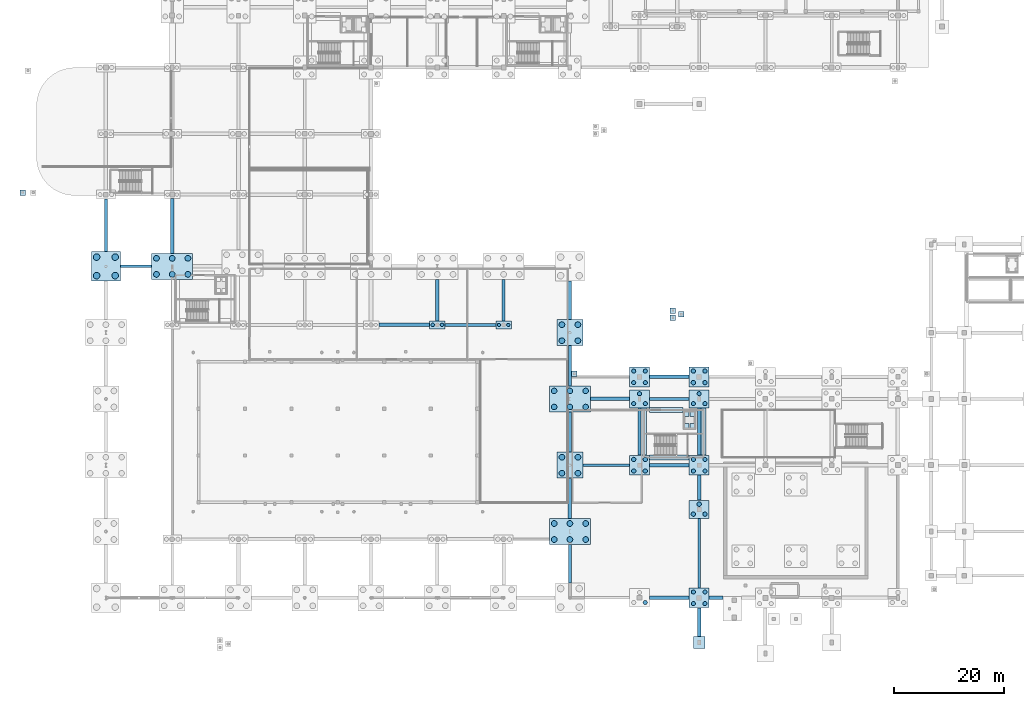
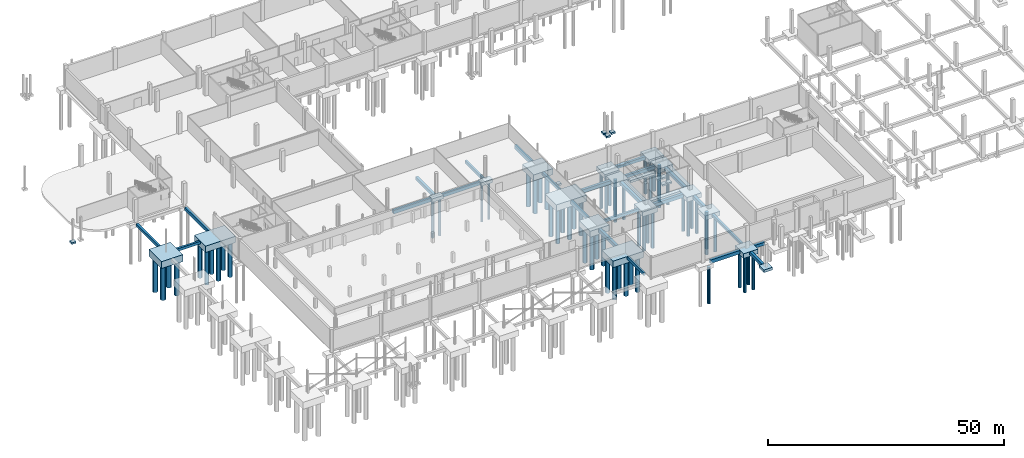
# One storey, part 2 of 42: 64 piles, 54 footings.
"""IFC4 building model written with IfcOpenShell, lengths in metres."""

from ifc_helpers import new_model, si_unit, direction, frame, origin, origin_2d, place, context, subcontext, project, spatial, rectangle, circle, extrude, material, material_profile, profile_set, type_object, element, save


model = new_model("IFC4")

# Units and contexts
model_context = context("Model", 3, precision=1e-05, world=origin(), true_north=direction((0.0, 1.0)))
body_context = subcontext(model_context, "Body", "Model", "MODEL_VIEW")
ifc_project = project(units=[si_unit("LENGTHUNIT", "METRE"), si_unit("AREAUNIT", "SQUARE_METRE"), si_unit("VOLUMEUNIT", "CUBIC_METRE"), si_unit("PLANEANGLEUNIT", "RADIAN"), si_unit("MASSUNIT", "GRAM", prefix="KILO"), si_unit("THERMODYNAMICTEMPERATUREUNIT", "KELVIN"), si_unit("POWERUNIT", "WATT")], contexts=[model_context])

# Site, building, storey
site_placement = place(None, origin())
site = spatial("IfcSite", under=ifc_project, at=site_placement, CompositionType="ELEMENT")
building_placement = place(site_placement, origin())
building = spatial("IfcBuilding", under=site, at=building_placement, Name="Solmara Park Aquatics Centre", CompositionType="ELEMENT")
storey_placement = place(building_placement, frame((0.0, 0.0, -5.39990234375)))
storey = spatial("IfcBuildingStorey", under=building, at=storey_placement, Name="B1", CompositionType="ELEMENT", Elevation=-5.39990234375)

# Footings
ifc_material = material(Name="Watertight Concrete C45/55", Category="concrete")
footing_type_1 = type_object("IfcFootingType", Name="STR-FB-500x700", PredefinedType="FOOTING_BEAM", material=ifc_material)
footing_1_placement = place(storey_placement, frame((103.175048828125, 36.60009765625, -1.25), z_axis=(0.0, 0.0, 1.0), x_axis=(1.0, 0.0, 0.0)))
element("IfcFooting", 1, at=footing_1_placement, inside=storey, type_object=footing_type_1, Name="Ground Tie Beam FB-027", PredefinedType="FOOTING_BEAM", context=body_context, shape_type="SweptSolid", body=[
    extrude(rectangle(XDim=8.429931640625, YDim=0.5, at=origin_2d()), origin(), (0.0, 0.0, 1.0), 0.699951171875),
])
footing_2_placement = place(storey_placement, frame((18.074951171875, 72.60009765625, -1.25), z_axis=(0.0, 0.0, 1.0), x_axis=(1.0, 0.0, 0.0)))
element("IfcFooting", 2, at=footing_2_placement, inside=storey, type_object=footing_type_1, Name="Ground Tie Beam FB-059", PredefinedType="FOOTING_BEAM", context=body_context, shape_type="SweptSolid", body=[
    extrude(rectangle(XDim=5.6298828125, YDim=0.5, at=origin_2d()), origin(), (0.0, 0.0, 1.0), 0.699951171875),
])
footing_3_placement = place(storey_placement, frame((12.60009765625, 80.02490234375, -1.25), z_axis=(0.0, 0.0, 1.0), x_axis=(1.0, 0.0, 0.0)))
element("IfcFooting", 3, at=footing_3_placement, inside=storey, type_object=footing_type_1, Name="Ground Tie Beam FB-117", PredefinedType="FOOTING_BEAM", context=body_context, shape_type="SweptSolid", body=[
    extrude(rectangle(XDim=0.5, YDim=9.530029296875, at=origin_2d()), origin(), (0.0, 0.0, 1.0), 0.699951171875),
])
footing_4_placement = place(storey_placement, frame((84.60009765625, 66.47509765625, -1.25), z_axis=(0.0, 0.0, 1.0), x_axis=(1.0, 0.0, 0.0)))
element("IfcFooting", 4, at=footing_4_placement, inside=storey, type_object=footing_type_1, Name="Ground Tie Beam FB-148", PredefinedType="FOOTING_BEAM", context=body_context, shape_type="SweptSolid", body=[
    extrude(rectangle(XDim=0.5, YDim=7.530029296875, at=origin_2d()), origin(), (0.0, 0.0, 1.0), 0.699951171875),
])
footing_5_placement = place(storey_placement, frame((96.60009765625, 18.75, -1.25), z_axis=(0.0, 0.0, 1.0), x_axis=(1.0, 0.0, 0.0)))
element("IfcFooting", 5, at=footing_5_placement, inside=storey, type_object=footing_type_1, Name="Ground Tie Beam FB-150", PredefinedType="FOOTING_BEAM", context=body_context, shape_type="SweptSolid", body=[
    extrude(rectangle(XDim=0.5, YDim=6.97998046875, at=origin_2d()), origin(), (0.0, 0.0, 1.0), 0.699951171875),
])
footing_6_placement = place(storey_placement, frame((96.60009765625, 54.60009765625, -1.25), z_axis=(0.0, 0.0, 1.0), x_axis=(1.0, 0.0, 0.0)))
element("IfcFooting", 6, at=footing_6_placement, inside=storey, type_object=footing_type_1, Name="Ground Tie Beam FB-153", PredefinedType="FOOTING_BEAM", context=body_context, shape_type="SweptSolid", body=[
    extrude(rectangle(XDim=0.5, YDim=7.280029296875, at=origin_2d()), origin(), (0.0, 0.0, 1.0), 0.699951171875),
])
footing_7_placement = place(storey_placement, frame((120.0, 20.675048828125, -1.25), z_axis=(0.0, 0.0, 1.0), x_axis=(1.0, 0.0, 0.0)))
element("IfcFooting", 7, at=footing_7_placement, inside=storey, type_object=footing_type_1, Name="Ground Tie Beam FB-164", PredefinedType="FOOTING_BEAM", context=body_context, shape_type="SweptSolid", body=[
    extrude(rectangle(XDim=0.5, YDim=12.530029296875, at=origin_2d()), origin(), (0.0, 0.0, 1.0), 0.699951171875),
])
footing_type_2 = type_object("IfcFootingType", Name="STR-FB-600x800", PredefinedType="FOOTING_BEAM", material=ifc_material)
footing_8_placement = place(storey_placement, frame((123.050048828125, 12.60009765625, -1.35009765625), z_axis=(0.0, 0.0, 1.0), x_axis=(1.0, 0.0, 0.0)))
element("IfcFooting", 8, at=footing_8_placement, inside=storey, type_object=footing_type_2, Name="Ground Tie Beam FB-010", PredefinedType="FOOTING_BEAM", context=body_context, shape_type="SweptSolid", body=[
    extrude(rectangle(XDim=2.47998046875, YDim=0.60009765625, at=origin_2d()), origin(), (0.0, 0.0, 1.0), 0.800048828125),
])
for number, where, z_axis, x_axis, name in (
    (9, (114.60009765625, 48.60009765625, -1.35009765625), (0.0, 0.0, 1.0), (1.0, 0.0, 0.0), "Ground Tie Beam FB-038"),
    (10, (114.60009765625, 52.60009765625, -1.35009765625), (0.0, 0.0, 1.0), (1.0, 0.0, 0.0), "Ground Tie Beam FB-047"),
):
    element("IfcFooting", number, at=place(storey_placement, frame(where, z_axis=z_axis, x_axis=x_axis)), inside=storey, type_object=footing_type_2, Name=name, PredefinedType="FOOTING_BEAM", context=body_context, shape_type="SweptSolid", body=[
        extrude(rectangle(XDim=7.179931640625, YDim=0.60009765625, at=origin_2d()), origin(), (0.0, 0.0, 1.0), 0.800048828125),
    ])
footing_9_placement = place(storey_placement, frame((78.60009765625, 62.0, -1.35009765625), z_axis=(0.0, 0.0, 1.0), x_axis=(1.0, 0.0, 0.0)))
element("IfcFooting", 11, at=footing_9_placement, inside=storey, type_object=footing_type_2, Name="Ground Tie Beam FB-058", PredefinedType="FOOTING_BEAM", context=body_context, shape_type="SweptSolid", body=[
    extrude(rectangle(XDim=9.179931640625, YDim=0.60009765625, at=origin_2d()), origin(), (0.0, 0.0, 1.0), 0.800048828125),
])
footing_10_placement = place(storey_placement, frame((24.60009765625, 79.925048828125, -1.35009765625), z_axis=(0.0, 0.0, 1.0), x_axis=(1.0, 0.0, 0.0)))
element("IfcFooting", 12, at=footing_10_placement, inside=storey, type_object=footing_type_2, Name="Ground Tie Beam FB-121", PredefinedType="FOOTING_BEAM", context=body_context, shape_type="SweptSolid", body=[
    extrude(rectangle(XDim=0.60009765625, YDim=9.929931640625, at=origin_2d()), origin(), (0.0, 0.0, 1.0), 0.800048828125),
])
footing_11_placement = place(storey_placement, frame((72.60009765625, 66.47509765625, -1.35009765625), z_axis=(0.0, 0.0, 1.0), x_axis=(1.0, 0.0, 0.0)))
element("IfcFooting", 13, at=footing_11_placement, inside=storey, type_object=footing_type_2, Name="Ground Tie Beam FB-144", PredefinedType="FOOTING_BEAM", context=body_context, shape_type="SweptSolid", body=[
    extrude(rectangle(XDim=0.60009765625, YDim=7.530029296875, at=origin_2d()), origin(), (0.0, 0.0, 1.0), 0.800048828125),
])
footing_12_placement = place(storey_placement, frame((96.60009765625, 42.60009765625, -1.35009765625), z_axis=(0.0, 0.0, 1.0), x_axis=(1.0, 0.0, 0.0)))
element("IfcFooting", 14, at=footing_12_placement, inside=storey, type_object=footing_type_2, Name="Ground Tie Beam FB-152", PredefinedType="FOOTING_BEAM", context=body_context, shape_type="SweptSolid", body=[
    extrude(rectangle(XDim=0.60009765625, YDim=7.280029296875, at=origin_2d()), origin(), (0.0, 0.0, 1.0), 0.800048828125),
])
footing_13_placement = place(storey_placement, frame((109.199951171875, 42.675048828125, -1.35009765625), z_axis=(0.0, 0.0, 1.0), x_axis=(1.0, 0.0, 0.0)))
element("IfcFooting", 15, at=footing_13_placement, inside=storey, type_object=footing_type_2, Name="Ground Tie Beam FB-158", PredefinedType="FOOTING_BEAM", context=body_context, shape_type="SweptSolid", body=[
    extrude(rectangle(XDim=0.60009765625, YDim=8.530029296875, at=origin_2d()), origin(), (0.0, 0.0, 1.0), 0.800048828125),
])
footing_14_placement = place(storey_placement, frame((120.0, 8.175048828125, -1.35009765625), z_axis=(0.0, 0.0, 1.0), x_axis=(1.0, 0.0, 0.0)))
element("IfcFooting", 16, at=footing_14_placement, inside=storey, type_object=footing_type_2, Name="Ground Tie Beam FB-163", PredefinedType="FOOTING_BEAM", context=body_context, shape_type="SweptSolid", body=[
    extrude(rectangle(XDim=0.60009765625, YDim=5.22998046875, at=origin_2d()), origin(), (0.0, 0.0, 1.0), 0.800048828125),
])
footing_15_placement = place(storey_placement, frame((120.0, 42.675048828125, -1.35009765625), z_axis=(0.0, 0.0, 1.0), x_axis=(1.0, 0.0, 0.0)))
element("IfcFooting", 17, at=footing_15_placement, inside=storey, type_object=footing_type_2, Name="Ground Tie Beam FB-166", PredefinedType="FOOTING_BEAM", context=body_context, shape_type="SweptSolid", body=[
    extrude(rectangle(XDim=0.60009765625, YDim=8.530029296875, at=origin_2d()), origin(), (0.0, 0.0, 1.0), 0.800048828125),
])
footing_type_3 = type_object("IfcFootingType", Name="STR-FB-650x900", PredefinedType="FOOTING_BEAM", material=ifc_material)
for number, where, z_axis, x_axis, name in (
    (18, (114.60009765625, 12.60009765625, -1.449951171875), (0.0, 0.0, 1.0), (1.0, 0.0, 0.0), "Ground Tie Beam FB-009"),
    (19, (114.60009765625, 36.60009765625, -1.449951171875), (0.0, 0.0, 1.0), (1.0, 0.0, 0.0), "Ground Tie Beam FB-028"),
):
    element("IfcFooting", number, at=place(storey_placement, frame(where, z_axis=z_axis, x_axis=x_axis)), inside=storey, type_object=footing_type_3, Name=name, PredefinedType="FOOTING_BEAM", context=body_context, shape_type="SweptSolid", body=[
        extrude(rectangle(XDim=7.179931640625, YDim=0.64990234375, at=origin_2d()), origin(), (0.0, 0.0, 1.0), 0.89990234375),
    ])
footing_16_placement = place(storey_placement, frame((103.85009765625, 48.60009765625, -1.449951171875), z_axis=(0.0, 0.0, 1.0), x_axis=(1.0, 0.0, 0.0)))
element("IfcFooting", 20, at=footing_16_placement, inside=storey, type_object=footing_type_3, Name="Ground Tie Beam FB-037", PredefinedType="FOOTING_BEAM", context=body_context, shape_type="SweptSolid", body=[
    extrude(rectangle(XDim=7.080078125, YDim=0.64990234375, at=origin_2d()), origin(), (0.0, 0.0, 1.0), 0.89990234375),
])
footing_17_placement = place(storey_placement, frame((66.60009765625, 62.0, -1.449951171875), z_axis=(0.0, 0.0, 1.0), x_axis=(1.0, 0.0, 0.0)))
element("IfcFooting", 21, at=footing_17_placement, inside=storey, type_object=footing_type_3, Name="Ground Tie Beam FB-057", PredefinedType="FOOTING_BEAM", context=body_context, shape_type="SweptSolid", body=[
    extrude(rectangle(XDim=9.179931640625, YDim=0.64990234375, at=origin_2d()), origin(), (0.0, 0.0, 1.0), 0.89990234375),
])
footing_18_placement = place(storey_placement, frame((96.60009765625, 30.60009765625, -1.449951171875), z_axis=(0.0, 0.0, 1.0), x_axis=(1.0, 0.0, 0.0)))
element("IfcFooting", 22, at=footing_18_placement, inside=storey, type_object=footing_type_3, Name="Ground Tie Beam FB-151", PredefinedType="FOOTING_BEAM", context=body_context, shape_type="SweptSolid", body=[
    extrude(rectangle(XDim=0.64990234375, YDim=7.280029296875, at=origin_2d()), origin(), (0.0, 0.0, 1.0), 0.89990234375),
])
footing_19_placement = place(storey_placement, frame((96.60009765625, 66.449951171875, -1.449951171875), z_axis=(0.0, 0.0, 1.0), x_axis=(1.0, 0.0, 0.0)))
element("IfcFooting", 23, at=footing_19_placement, inside=storey, type_object=footing_type_3, Name="Ground Tie Beam FB-154", PredefinedType="FOOTING_BEAM", context=body_context, shape_type="SweptSolid", body=[
    extrude(rectangle(XDim=0.64990234375, YDim=6.97998046875, at=origin_2d()), origin(), (0.0, 0.0, 1.0), 0.89990234375),
])
footing_20_placement = place(storey_placement, frame((120.0, 32.52490234375, -1.449951171875), z_axis=(0.0, 0.0, 1.0), x_axis=(1.0, 0.0, 0.0)))
element("IfcFooting", 24, at=footing_20_placement, inside=storey, type_object=footing_type_3, Name="Ground Tie Beam FB-165", PredefinedType="FOOTING_BEAM", context=body_context, shape_type="SweptSolid", body=[
    extrude(rectangle(XDim=0.64990234375, YDim=4.530029296875, at=origin_2d()), origin(), (0.0, 0.0, 1.0), 0.89990234375),
])
footing_type_4 = type_object("IfcFootingType", Name="STR-PC-2P600", PredefinedType="PILE_CAP", material=ifc_material)
for number, where, z_axis, x_axis, name in (
    (25, (72.60009765625, 62.0, -1.449951171875), (0.0, 0.0, 1.0), (1.0, 0.0, 0.0), "Pile Cap PC-048"),
    (26, (84.60009765625, 62.0, -1.449951171875), (0.0, 0.0, 1.0), (1.0, 0.0, 0.0), "Pile Cap PC-055"),
):
    element("IfcFooting", number, at=place(storey_placement, frame(where, z_axis=z_axis, x_axis=x_axis)), inside=storey, type_object=footing_type_4, Name=name, PredefinedType="PILE_CAP", context=body_context, shape_type="SweptSolid", body=[
        extrude(rectangle(XDim=2.800048828125, YDim=1.39990234375, at=origin_2d()), origin(), (0.0, 0.0, 1.0), 0.89990234375),
    ])
footing_type_5 = type_object("IfcFootingType", Name="STR-PC-3P750", PredefinedType="PILE_CAP", material=ifc_material)
for number, where, z_axis, x_axis, name in (
    (27, (109.199951171875, 48.60009765625, -1.699951171875), (0.0, 0.0, 1.0), (1.0, 0.0, 0.0), "Pile Cap PC-073"),
    (28, (120.0, 28.60009765625, -1.699951171875), (0.0, 0.0, 1.0), (1.0, 0.0, 0.0), "Pile Cap PC-081"),
    (29, (120.0, 48.60009765625, -1.699951171875), (0.0, 0.0, 1.0), (1.0, 0.0, 0.0), "Pile Cap PC-083"),
):
    element("IfcFooting", number, at=place(storey_placement, frame(where, z_axis=z_axis, x_axis=x_axis)), inside=storey, type_object=footing_type_5, Name=name, PredefinedType="PILE_CAP", context=body_context, shape_type="SweptSolid", body=[
        extrude(rectangle(XDim=3.60009765625, YDim=3.300048828125, at=origin_2d()), origin(), (0.0, 0.0, 1.0), 1.14990234375),
    ])
footing_type_6 = type_object("IfcFootingType", Name="STR-PC-4P1050", PredefinedType="PILE_CAP", material=ifc_material)
for number, where, z_axis, x_axis, name in (
    (30, (96.60009765625, 36.60009765625, -2.10009765625), (0.0, 0.0, 1.0), (1.0, 0.0, 0.0), "Pile Cap PC-062"),
    (31, (96.60009765625, 60.60009765625, -2.10009765625), (0.0, 0.0, 1.0), (1.0, 0.0, 0.0), "Pile Cap PC-064"),
):
    element("IfcFooting", number, at=place(storey_placement, frame(where, z_axis=z_axis, x_axis=x_axis)), inside=storey, type_object=footing_type_6, Name=name, PredefinedType="PILE_CAP", context=body_context, shape_type="SweptSolid", body=[
        extrude(rectangle(XDim=4.699951171875, YDim=4.699951171875, at=origin_2d()), origin(), (0.0, 0.0, 1.0), 1.550048828125),
    ])
footing_type_7 = type_object("IfcFootingType", Name="STR-PC-4P1200", PredefinedType="PILE_CAP", material=ifc_material)
footing_21_placement = place(storey_placement, frame((12.60009765625, 72.60009765625, -2.35009765625), z_axis=(0.0, 0.0, 1.0), x_axis=(1.0, 0.0, 0.0)))
element("IfcFooting", 32, at=footing_21_placement, inside=storey, type_object=footing_type_7, Name="Pile Cap PC-006", PredefinedType="PILE_CAP", context=body_context, shape_type="SweptSolid", body=[
    extrude(rectangle(XDim=5.300048828125, YDim=5.300048828125, at=origin_2d()), origin(), (0.0, 0.0, 1.0), 1.800048828125),
])
footing_type_8 = type_object("IfcFootingType", Name="STR-PC-4P750", PredefinedType="PILE_CAP", material=ifc_material)
for number, where, z_axis, x_axis, name in (
    (33, (109.199951171875, 36.60009765625, -1.75), (0.0, 0.0, 1.0), (1.0, 0.0, 0.0), "Pile Cap PC-072"),
    (34, (109.199951171875, 52.60009765625, -1.75), (0.0, 0.0, 1.0), (1.0, 0.0, 0.0), "Pile Cap PC-074"),
    (35, (120.0, 12.60009765625, -1.75), (0.0, 0.0, 1.0), (1.0, 0.0, 0.0), "Pile Cap PC-080"),
    (36, (120.0, 36.60009765625, -1.75), (0.0, 0.0, 1.0), (1.0, 0.0, 0.0), "Pile Cap PC-082"),
    (37, (120.0, 52.60009765625, -1.75), (0.0, 0.0, 1.0), (1.0, 0.0, 0.0), "Pile Cap PC-084"),
):
    element("IfcFooting", number, at=place(storey_placement, frame(where, z_axis=z_axis, x_axis=x_axis)), inside=storey, type_object=footing_type_8, Name=name, PredefinedType="PILE_CAP", context=body_context, shape_type="SweptSolid", body=[
        extrude(rectangle(XDim=3.60009765625, YDim=3.60009765625, at=origin_2d()), origin(), (0.0, 0.0, 1.0), 1.199951171875),
    ])
footing_type_9 = type_object("IfcFootingType", Name="STR-PC-6P1050", PredefinedType="PILE_CAP", material=ifc_material)
for number, where, z_axis, x_axis, name in (
    (38, (24.60009765625, 72.60009765625, -2.199951171875), (0.0, 0.0, 1.0), (1.0, 0.0, 0.0), "Pile Cap PC-013"),
    (39, (96.60009765625, 24.60009765625, -2.199951171875), (0.0, 0.0, 1.0), (1.0, 0.0, 0.0), "Pile Cap PC-061"),
    (40, (96.60009765625, 48.60009765625, -2.199951171875), (0.0, 0.0, 1.0), (1.0, 0.0, 0.0), "Pile Cap PC-063"),
):
    element("IfcFooting", number, at=place(storey_placement, frame(where, z_axis=z_axis, x_axis=x_axis)), inside=storey, type_object=footing_type_9, Name=name, PredefinedType="PILE_CAP", context=body_context, shape_type="SweptSolid", body=[
        extrude(rectangle(XDim=7.39990234375, YDim=4.699951171875, at=origin_2d()), origin(), (0.0, 0.0, 1.0), 1.64990234375),
    ])
footing_type_10 = type_object("IfcFootingType", Name="STR-PF-1000", PredefinedType="PAD_FOOTING", material=ifc_material)
for number, where, z_axis, x_axis, name in (
    (41, (117.6201171875, 43.679931640625, -2.39990234375), (0.0, 0.0, 1.0), (1.0, 0.0, 0.0), "Lift Pit LF-05 Bearing Pad 1"),
    (42, (118.8798828125, 43.679931640625, -2.39990234375), (0.0, 0.0, 1.0), (1.0, 0.0, 0.0), "Lift Pit LF-05 Bearing Pad 2"),
    (43, (117.6201171875, 45.919921875, -2.39990234375), (0.0, 0.0, 1.0), (1.0, 0.0, 0.0), "Lift Pit LF-05 Bearing Pad 3"),
    (44, (118.8798828125, 45.919921875, -2.39990234375), (0.0, 0.0, 1.0), (1.0, 0.0, 0.0), "Lift Pit LF-05 Bearing Pad 4"),
    (45, (-2.449951171875, 85.949951171875, -1.0), (0.0, 0.0, 1.0), (1.0, 0.0, 0.0), "Apron Foundation Pier SLB-L00-APR-W-1 Footing"),
    (46, (97.39990234375, 53.14990234375, -1.0), (0.0, 0.0, 1.0), (1.0, 0.0, 0.0), "Apron Foundation Pier SLB-L00-APR-V2N-1 Footing"),
    (47, (115.25, 63.300048828125, -1.0), (0.0, 0.0, 1.0), (1.0, 0.0, 0.0), "Garden Court Diving Threshold Accessible Ramp Foundation Pier 1 Footing"),
    (48, (115.25, 64.60009765625, -1.0), (0.0, 0.0, 1.0), (1.0, 0.0, 0.0), "Garden Court Diving Threshold Accessible Ramp Foundation Pier 2 Footing"),
    (49, (116.75, 63.949951171875, -1.0), (0.0, 0.0, 1.0), (1.0, 0.0, 0.0), "Garden Court Diving Threshold Accessible Ramp Foundation Pier 3 Footing"),
):
    element("IfcFooting", number, at=place(storey_placement, frame(where, z_axis=z_axis, x_axis=x_axis)), inside=storey, type_object=footing_type_10, Name=name, PredefinedType="PAD_FOOTING", context=body_context, shape_type="SweptSolid", body=[
        extrude(rectangle(XDim=1.0, YDim=1.0, at=origin_2d()), origin(), (0.0, 0.0, 1.0), 0.449951171875),
    ])
footing_type_11 = type_object("IfcFootingType", Name="STR-PF-2100", PredefinedType="PAD_FOOTING", material=ifc_material)
footing_22_placement = place(storey_placement, frame((120.0, 4.5, -1.25), z_axis=(0.0, 0.0, 1.0), x_axis=(1.0, 0.0, 0.0)))
element("IfcFooting", 50, at=footing_22_placement, inside=storey, type_object=footing_type_11, Name="Pad Footing PF-002", PredefinedType="PAD_FOOTING", context=body_context, shape_type="SweptSolid", body=[
    extrude(rectangle(XDim=2.10009765625, YDim=2.10009765625, at=origin_2d()), origin(), (0.0, 0.0, 1.0), 0.699951171875),
])

# Piles
ifc_material_profile_1 = material_profile(ifc_material, circle(Radius=0.5, at=origin_2d()), Name="BORED PILE D1000")
ifc_profile_set_1 = profile_set([ifc_material_profile_1], Name="Watertight Concrete C45/55")
pile_type_1 = type_object("IfcPileType", Name="STR-PILE-D1000", PredefinedType="BORED", material=ifc_profile_set_1)
for number, where, z_axis, x_axis, name in (
    (51, (93.75, 47.14990234375, -2.10009765625), (0.0, 0.0, -1.0), (1.0, 0.0, 0.0), "Bored Pile PL-0221"),
    (52, (96.60009765625, 47.14990234375, -2.10009765625), (0.0, 0.0, -1.0), (1.0, 0.0, 0.0), "Bored Pile PL-0222"),
    (53, (99.449951171875, 47.14990234375, -2.10009765625), (0.0, 0.0, -1.0), (1.0, 0.0, 0.0), "Bored Pile PL-0223"),
    (54, (93.75, 50.050048828125, -2.10009765625), (0.0, 0.0, -1.0), (1.0, 0.0, 0.0), "Bored Pile PL-0224"),
    (55, (96.60009765625, 50.050048828125, -2.10009765625), (0.0, 0.0, -1.0), (1.0, 0.0, 0.0), "Bored Pile PL-0225"),
    (56, (99.449951171875, 50.050048828125, -2.10009765625), (0.0, 0.0, -1.0), (1.0, 0.0, 0.0), "Bored Pile PL-0226"),
):
    element("IfcPile", number, at=place(storey_placement, frame(where, z_axis=z_axis, x_axis=x_axis)), inside=storey, type_object=pile_type_1, Name=name, PredefinedType="BORED", context=body_context, shape_type="SweptSolid", body=[
        extrude(circle(Radius=0.5, at=origin_2d()), origin(), (0.0, 0.0, 1.0), 9.0),
    ])
ifc_material_profile_2 = material_profile(ifc_material, circle(Radius=0.52490234375, at=origin_2d()), Name="BORED PILE D1050")
ifc_profile_set_2 = profile_set([ifc_material_profile_2], Name="Watertight Concrete C45/55")
pile_type_2 = type_object("IfcPileType", Name="STR-PILE-D1050", PredefinedType="BORED", material=ifc_profile_set_2)
for number, where, z_axis, x_axis, name in (
    (57, (21.75, 71.14990234375, -2.10009765625), (0.0, 0.0, -1.0), (1.0, 0.0, 0.0), "Bored Pile PL-0043"),
    (58, (24.60009765625, 71.14990234375, -2.10009765625), (0.0, 0.0, -1.0), (1.0, 0.0, 0.0), "Bored Pile PL-0044"),
    (59, (27.449951171875, 71.14990234375, -2.10009765625), (0.0, 0.0, -1.0), (1.0, 0.0, 0.0), "Bored Pile PL-0045"),
    (60, (21.75, 74.050048828125, -2.10009765625), (0.0, 0.0, -1.0), (1.0, 0.0, 0.0), "Bored Pile PL-0046"),
    (61, (24.60009765625, 74.050048828125, -2.10009765625), (0.0, 0.0, -1.0), (1.0, 0.0, 0.0), "Bored Pile PL-0047"),
    (62, (27.449951171875, 74.050048828125, -2.10009765625), (0.0, 0.0, -1.0), (1.0, 0.0, 0.0), "Bored Pile PL-0048"),
    (63, (93.75, 23.14990234375, -2.10009765625), (0.0, 0.0, -1.0), (1.0, 0.0, 0.0), "Bored Pile PL-0211"),
    (64, (96.60009765625, 23.14990234375, -2.10009765625), (0.0, 0.0, -1.0), (1.0, 0.0, 0.0), "Bored Pile PL-0212"),
    (65, (99.449951171875, 23.14990234375, -2.10009765625), (0.0, 0.0, -1.0), (1.0, 0.0, 0.0), "Bored Pile PL-0213"),
    (66, (93.75, 26.050048828125, -2.10009765625), (0.0, 0.0, -1.0), (1.0, 0.0, 0.0), "Bored Pile PL-0214"),
    (67, (96.60009765625, 26.050048828125, -2.10009765625), (0.0, 0.0, -1.0), (1.0, 0.0, 0.0), "Bored Pile PL-0215"),
    (68, (99.449951171875, 26.050048828125, -2.10009765625), (0.0, 0.0, -1.0), (1.0, 0.0, 0.0), "Bored Pile PL-0216"),
):
    element("IfcPile", number, at=place(storey_placement, frame(where, z_axis=z_axis, x_axis=x_axis)), inside=storey, type_object=pile_type_2, Name=name, PredefinedType="BORED", context=body_context, shape_type="SweptSolid", body=[
        extrude(circle(Radius=0.52490234375, at=origin_2d()), origin(), (0.0, 0.0, 1.0), 9.0),
    ])
for number, where, z_axis, x_axis, name in (
    (69, (95.14990234375, 35.14990234375, -2.0), (0.0, 0.0, -1.0), (1.0, 0.0, 0.0), "Bored Pile PL-0217"),
    (70, (98.050048828125, 35.14990234375, -2.0), (0.0, 0.0, -1.0), (1.0, 0.0, 0.0), "Bored Pile PL-0218"),
    (71, (95.14990234375, 38.050048828125, -2.0), (0.0, 0.0, -1.0), (1.0, 0.0, 0.0), "Bored Pile PL-0219"),
    (72, (98.050048828125, 38.050048828125, -2.0), (0.0, 0.0, -1.0), (1.0, 0.0, 0.0), "Bored Pile PL-0220"),
    (73, (95.14990234375, 59.14990234375, -2.0), (0.0, 0.0, -1.0), (1.0, 0.0, 0.0), "Bored Pile PL-0227"),
    (74, (98.050048828125, 59.14990234375, -2.0), (0.0, 0.0, -1.0), (1.0, 0.0, 0.0), "Bored Pile PL-0228"),
    (75, (95.14990234375, 62.050048828125, -2.0), (0.0, 0.0, -1.0), (1.0, 0.0, 0.0), "Bored Pile PL-0229"),
    (76, (98.050048828125, 62.050048828125, -2.0), (0.0, 0.0, -1.0), (1.0, 0.0, 0.0), "Bored Pile PL-0230"),
):
    element("IfcPile", number, at=place(storey_placement, frame(where, z_axis=z_axis, x_axis=x_axis)), inside=storey, type_object=pile_type_2, Name=name, PredefinedType="BORED", context=body_context, shape_type="SweptSolid", body=[
        extrude(circle(Radius=0.52490234375, at=origin_2d()), origin(), (0.0, 0.0, 1.0), 9.10009765625),
    ])
ifc_material_profile_3 = material_profile(ifc_material, circle(Radius=0.60009765625, at=origin_2d()), Name="BORED PILE D1200")
ifc_profile_set_3 = profile_set([ifc_material_profile_3], Name="Watertight Concrete C45/55")
pile_type_3 = type_object("IfcPileType", Name="STR-PILE-D1200", PredefinedType="BORED", material=ifc_profile_set_3)
for number, where, z_axis, x_axis, name in (
    (77, (10.919921875, 70.919921875, -2.25), (0.0, 0.0, -1.0), (1.0, 0.0, 0.0), "Bored Pile PL-0025"),
    (78, (14.280029296875, 70.919921875, -2.25), (0.0, 0.0, -1.0), (1.0, 0.0, 0.0), "Bored Pile PL-0026"),
    (79, (10.919921875, 74.280029296875, -2.25), (0.0, 0.0, -1.0), (1.0, 0.0, 0.0), "Bored Pile PL-0027"),
    (80, (14.280029296875, 74.280029296875, -2.25), (0.0, 0.0, -1.0), (1.0, 0.0, 0.0), "Bored Pile PL-0028"),
):
    element("IfcPile", number, at=place(storey_placement, frame(where, z_axis=z_axis, x_axis=x_axis)), inside=storey, type_object=pile_type_3, Name=name, PredefinedType="BORED", context=body_context, shape_type="SweptSolid", body=[
        extrude(circle(Radius=0.60009765625, at=origin_2d()), origin(), (0.0, 0.0, 1.0), 8.85009765625),
    ])
ifc_material_profile_4 = material_profile(ifc_material, circle(Radius=0.300048828125, at=origin_2d()), Name="BORED PILE D600")
ifc_profile_set_4 = profile_set([ifc_material_profile_4], Name="Watertight Concrete C45/55")
pile_type_4 = type_object("IfcPileType", Name="STR-PILE-D600", PredefinedType="BORED", material=ifc_profile_set_4)
for number, where, z_axis, x_axis, name in (
    (81, (83.75, 62.0, -1.35009765625), (0.0, 0.0, -1.0), (1.0, 0.0, 0.0), "Bored Pile PL-0185"),
    (82, (85.449951171875, 62.0, -1.35009765625), (0.0, 0.0, -1.0), (1.0, 0.0, 0.0), "Bored Pile PL-0186"),
):
    element("IfcPile", number, at=place(storey_placement, frame(where, z_axis=z_axis, x_axis=x_axis)), inside=storey, type_object=pile_type_4, Name=name, PredefinedType="BORED", context=body_context, shape_type="SweptSolid", body=[
        extrude(circle(Radius=0.300048828125, at=origin_2d()), origin(), (0.0, 0.0, 1.0), 9.75),
    ])
ifc_material_profile_5 = material_profile(ifc_material, circle(Radius=0.324951171875, at=origin_2d()), Name="BORED PILE D650")
ifc_profile_set_5 = profile_set([ifc_material_profile_5], Name="Watertight Concrete C45/55")
pile_type_5 = type_object("IfcPileType", Name="STR-PILE-D650", PredefinedType="BORED", material=ifc_profile_set_5)
for number, where, z_axis, x_axis, name in (
    (83, (71.75, 62.0, -1.35009765625), (0.0, 0.0, -1.0), (1.0, 0.0, 0.0), "Bored Pile PL-0157"),
    (84, (73.449951171875, 62.0, -1.35009765625), (0.0, 0.0, -1.0), (1.0, 0.0, 0.0), "Bored Pile PL-0158"),
):
    element("IfcPile", number, at=place(storey_placement, frame(where, z_axis=z_axis, x_axis=x_axis)), inside=storey, type_object=pile_type_5, Name=name, PredefinedType="BORED", context=body_context, shape_type="SweptSolid", body=[
        extrude(circle(Radius=0.324951171875, at=origin_2d()), origin(), (0.0, 0.0, 1.0), 9.75),
    ])
ifc_material_profile_6 = material_profile(ifc_material, circle(Radius=0.375, at=origin_2d()), Name="BORED PILE D750")
ifc_profile_set_6 = profile_set([ifc_material_profile_6], Name="Watertight Concrete C45/55")
pile_type_6 = type_object("IfcPileType", Name="STR-PILE-D750", PredefinedType="BORED", material=ifc_profile_set_6)
for number, where, z_axis, x_axis, name in (
    (85, (110.25, 11.75, -1.60009765625), (0.0, 0.0, -1.0), (1.0, 0.0, 0.0), "Bored Pile PL-0254"),
    (86, (108.14990234375, 47.75, -1.60009765625), (0.0, 0.0, -1.0), (1.0, 0.0, 0.0), "Bored Pile PL-0260"),
    (87, (110.25, 47.75, -1.60009765625), (0.0, 0.0, -1.0), (1.0, 0.0, 0.0), "Bored Pile PL-0261"),
    (88, (109.199951171875, 49.550048828125, -1.60009765625), (0.0, 0.0, -1.0), (1.0, 0.0, 0.0), "Bored Pile PL-0262"),
):
    element("IfcPile", number, at=place(storey_placement, frame(where, z_axis=z_axis, x_axis=x_axis)), inside=storey, type_object=pile_type_6, Name=name, PredefinedType="BORED", context=body_context, shape_type="SweptSolid", body=[
        extrude(circle(Radius=0.375, at=origin_2d()), origin(), (0.0, 0.0, 1.0), 9.5),
    ])
for number, where, z_axis, x_axis, name in (
    (89, (108.14990234375, 51.550048828125, -1.650146484375), (0.0, 0.0, -1.0), (1.0, 0.0, 0.0), "Bored Pile PL-0263"),
    (90, (110.25, 51.550048828125, -1.650146484375), (0.0, 0.0, -1.0), (1.0, 0.0, 0.0), "Bored Pile PL-0264"),
    (91, (108.14990234375, 53.64990234375, -1.650146484375), (0.0, 0.0, -1.0), (1.0, 0.0, 0.0), "Bored Pile PL-0265"),
    (92, (110.25, 53.64990234375, -1.650146484375), (0.0, 0.0, -1.0), (1.0, 0.0, 0.0), "Bored Pile PL-0266"),
    (93, (118.949951171875, 11.550048828125, -1.650146484375), (0.0, 0.0, -1.0), (1.0, 0.0, 0.0), "Bored Pile PL-0277"),
    (94, (121.050048828125, 11.550048828125, -1.650146484375), (0.0, 0.0, -1.0), (1.0, 0.0, 0.0), "Bored Pile PL-0278"),
    (95, (118.949951171875, 13.64990234375, -1.650146484375), (0.0, 0.0, -1.0), (1.0, 0.0, 0.0), "Bored Pile PL-0279"),
    (96, (121.050048828125, 13.64990234375, -1.650146484375), (0.0, 0.0, -1.0), (1.0, 0.0, 0.0), "Bored Pile PL-0280"),
    (97, (118.949951171875, 35.550048828125, -1.650146484375), (0.0, 0.0, -1.0), (1.0, 0.0, 0.0), "Bored Pile PL-0284"),
    (98, (121.050048828125, 35.550048828125, -1.650146484375), (0.0, 0.0, -1.0), (1.0, 0.0, 0.0), "Bored Pile PL-0285"),
    (99, (118.949951171875, 37.64990234375, -1.650146484375), (0.0, 0.0, -1.0), (1.0, 0.0, 0.0), "Bored Pile PL-0286"),
    (100, (121.050048828125, 37.64990234375, -1.650146484375), (0.0, 0.0, -1.0), (1.0, 0.0, 0.0), "Bored Pile PL-0287"),
):
    element("IfcPile", number, at=place(storey_placement, frame(where, z_axis=z_axis, x_axis=x_axis)), inside=storey, type_object=pile_type_6, Name=name, PredefinedType="BORED", context=body_context, shape_type="SweptSolid", body=[
        extrude(circle(Radius=0.375, at=origin_2d()), origin(), (0.0, 0.0, 1.0), 9.449951171875),
    ])
for number, where, z_axis, x_axis, name in (
    (101, (118.949951171875, 47.75, -1.60009765625), (0.0, 0.0, -1.0), (1.0, 0.0, 0.0), "Bored Pile PL-0288"),
    (102, (121.050048828125, 47.75, -1.60009765625), (0.0, 0.0, -1.0), (1.0, 0.0, 0.0), "Bored Pile PL-0289"),
    (103, (120.0, 49.550048828125, -1.60009765625), (0.0, 0.0, -1.0), (1.0, 0.0, 0.0), "Bored Pile PL-0290"),
):
    element("IfcPile", number, at=place(storey_placement, frame(where, z_axis=z_axis, x_axis=x_axis)), inside=storey, type_object=pile_type_6, Name=name, PredefinedType="BORED", context=body_context, shape_type="SweptSolid", body=[
        extrude(circle(Radius=0.375, at=origin_2d()), origin(), (0.0, 0.0, 1.0), 9.5),
    ])
ifc_material_profile_7 = material_profile(ifc_material, circle(Radius=0.39990234375, at=origin_2d()), Name="BORED PILE D800")
ifc_profile_set_7 = profile_set([ifc_material_profile_7], Name="Watertight Concrete C45/55")
pile_type_7 = type_object("IfcPileType", Name="STR-PILE-D800", PredefinedType="BORED", material=ifc_profile_set_7)
for number, where, z_axis, x_axis, name in (
    (104, (108.14990234375, 35.550048828125, -1.650146484375), (0.0, 0.0, -1.0), (1.0, 0.0, 0.0), "Bored Pile PL-0256"),
    (105, (110.25, 35.550048828125, -1.650146484375), (0.0, 0.0, -1.0), (1.0, 0.0, 0.0), "Bored Pile PL-0257"),
    (106, (108.14990234375, 37.64990234375, -1.650146484375), (0.0, 0.0, -1.0), (1.0, 0.0, 0.0), "Bored Pile PL-0258"),
    (107, (110.25, 37.64990234375, -1.650146484375), (0.0, 0.0, -1.0), (1.0, 0.0, 0.0), "Bored Pile PL-0259"),
):
    element("IfcPile", number, at=place(storey_placement, frame(where, z_axis=z_axis, x_axis=x_axis)), inside=storey, type_object=pile_type_7, Name=name, PredefinedType="BORED", context=body_context, shape_type="SweptSolid", body=[
        extrude(circle(Radius=0.39990234375, at=origin_2d()), origin(), (0.0, 0.0, 1.0), 9.449951171875),
    ])
for number, where, z_axis, x_axis, name in (
    (108, (118.949951171875, 27.75, -1.60009765625), (0.0, 0.0, -1.0), (1.0, 0.0, 0.0), "Bored Pile PL-0281"),
    (109, (121.050048828125, 27.75, -1.60009765625), (0.0, 0.0, -1.0), (1.0, 0.0, 0.0), "Bored Pile PL-0282"),
    (110, (120.0, 29.550048828125, -1.60009765625), (0.0, 0.0, -1.0), (1.0, 0.0, 0.0), "Bored Pile PL-0283"),
):
    element("IfcPile", number, at=place(storey_placement, frame(where, z_axis=z_axis, x_axis=x_axis)), inside=storey, type_object=pile_type_7, Name=name, PredefinedType="BORED", context=body_context, shape_type="SweptSolid", body=[
        extrude(circle(Radius=0.39990234375, at=origin_2d()), origin(), (0.0, 0.0, 1.0), 9.5),
    ])
for number, where, z_axis, x_axis, name in (
    (111, (118.949951171875, 51.550048828125, -1.650146484375), (0.0, 0.0, -1.0), (1.0, 0.0, 0.0), "Bored Pile PL-0291"),
    (112, (121.050048828125, 51.550048828125, -1.650146484375), (0.0, 0.0, -1.0), (1.0, 0.0, 0.0), "Bored Pile PL-0292"),
    (113, (118.949951171875, 53.64990234375, -1.650146484375), (0.0, 0.0, -1.0), (1.0, 0.0, 0.0), "Bored Pile PL-0293"),
    (114, (121.050048828125, 53.64990234375, -1.650146484375), (0.0, 0.0, -1.0), (1.0, 0.0, 0.0), "Bored Pile PL-0294"),
):
    element("IfcPile", number, at=place(storey_placement, frame(where, z_axis=z_axis, x_axis=x_axis)), inside=storey, type_object=pile_type_7, Name=name, PredefinedType="BORED", context=body_context, shape_type="SweptSolid", body=[
        extrude(circle(Radius=0.39990234375, at=origin_2d()), origin(), (0.0, 0.0, 1.0), 9.449951171875),
    ])

# Footings
footing_type_12 = type_object("IfcFootingType", Name="STR-SF-900x600", PredefinedType="STRIP_FOOTING", material=ifc_material)
footing_23_placement = place(storey_placement, frame((114.60009765625, 38.0, -1.150146484375), z_axis=(0.0, 0.0, 1.0), x_axis=(1.0, 0.0, 0.0)))
element("IfcFooting", 115, at=footing_23_placement, inside=storey, type_object=footing_type_12, Name="Core Strip Footing SF-009", PredefinedType="STRIP_FOOTING", context=body_context, shape_type="SweptSolid", body=[
    extrude(rectangle(XDim=7.179931640625, YDim=0.89990234375, at=origin_2d()), origin(), (0.0, 0.0, 1.0), 0.60009765625),
])
footing_24_placement = place(storey_placement, frame((114.050048828125, 46.60009765625, -1.150146484375), z_axis=(0.0, 0.0, 1.0), x_axis=(1.0, 0.0, 0.0)))
element("IfcFooting", 116, at=footing_24_placement, inside=storey, type_object=footing_type_12, Name="Core Strip Footing SF-010", PredefinedType="STRIP_FOOTING", context=body_context, shape_type="SweptSolid", body=[
    extrude(rectangle(XDim=6.080078125, YDim=0.89990234375, at=origin_2d()), origin(), (0.0, 0.0, 1.0), 0.60009765625),
])
for number, where, z_axis, x_axis, name in (
    (117, (110.0, 42.675048828125, -1.150146484375), (0.0, 0.0, 1.0), (1.0, 0.0, 0.0), "Core Strip Footing SF-011"),
    (118, (120.800048828125, 42.675048828125, -1.150146484375), (0.0, 0.0, 1.0), (1.0, 0.0, 0.0), "Core Strip Footing SF-012"),
):
    element("IfcFooting", number, at=place(storey_placement, frame(where, z_axis=z_axis, x_axis=x_axis)), inside=storey, type_object=footing_type_12, Name=name, PredefinedType="STRIP_FOOTING", context=body_context, shape_type="SweptSolid", body=[
        extrude(rectangle(XDim=0.89990234375, YDim=8.530029296875, at=origin_2d()), origin(), (0.0, 0.0, 1.0), 0.60009765625),
    ])

save(model, "model.ifc")
